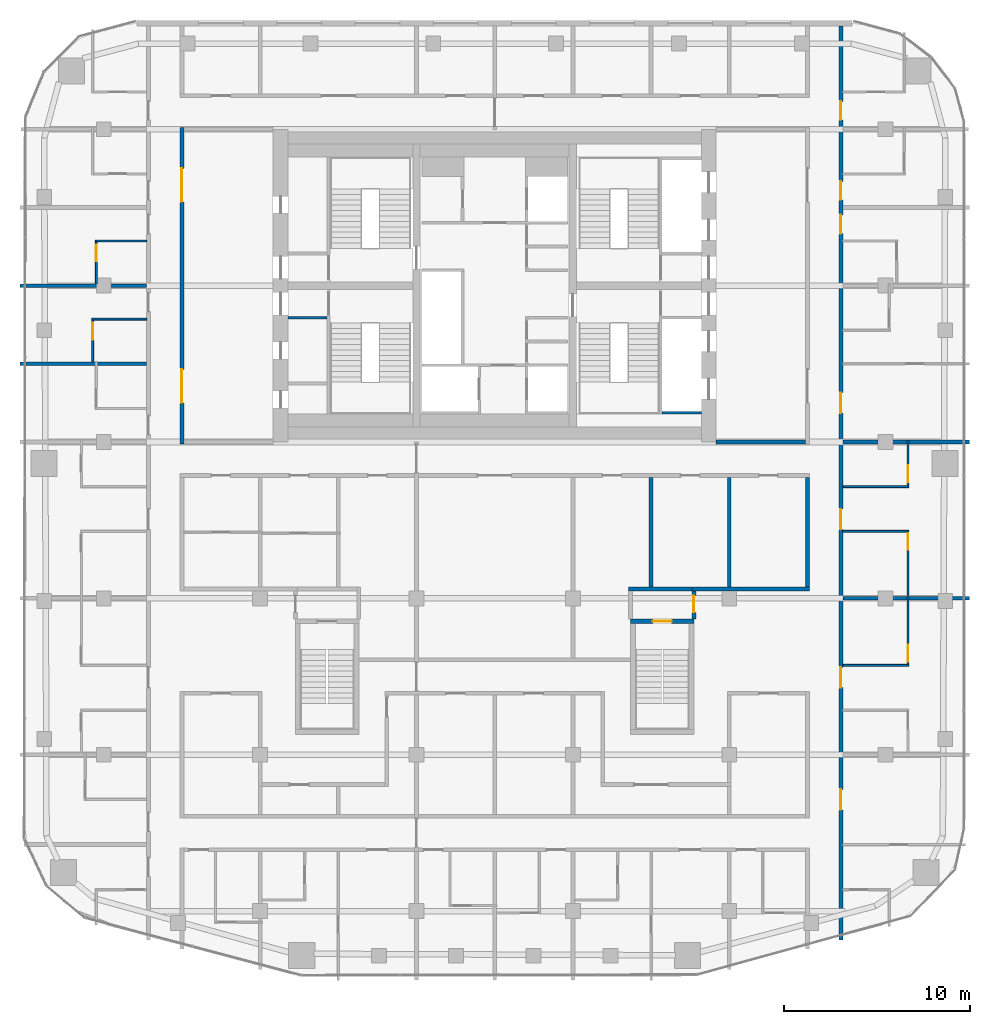
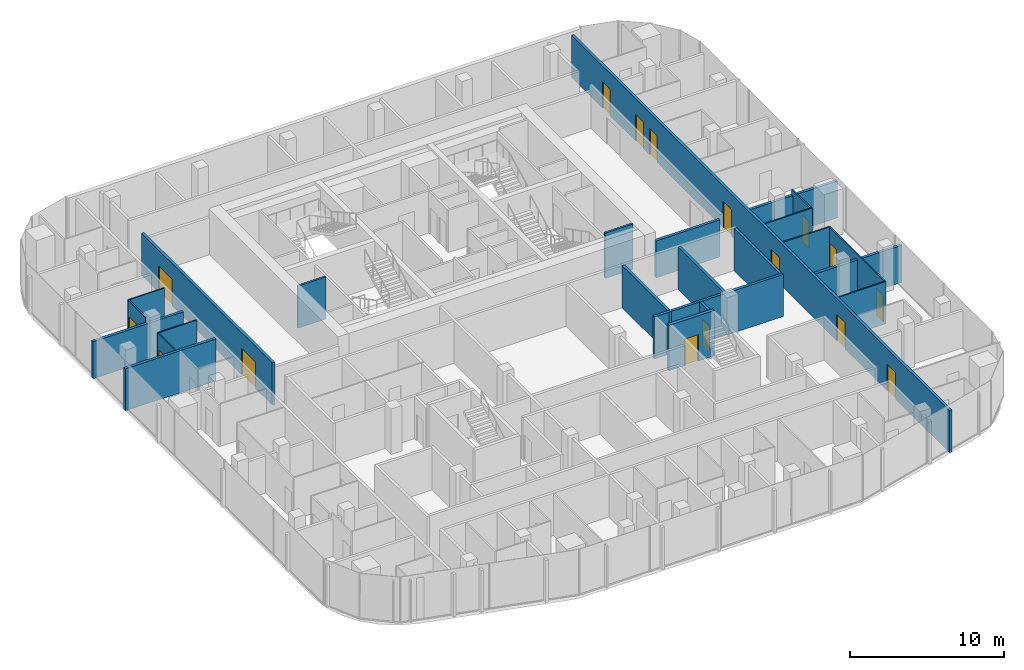
# One storey, part 17 of 22: 25 walls, 16 doors, 16 openings.
"""IFC4 building model written with IfcOpenShell, lengths in metres."""

from ifc_helpers import new_model, si_unit, direction, frame, frame_2d, origin, place, context, subcontext, project, spatial, rectangle, extrude, material, layer, layer_set, type_object, element, fill, save


model = new_model("IFC4")

# Units and contexts
model_context = context("Model", 3, precision=1e-05, world=origin(), true_north=direction((0.0, 1.0)))
body_context = subcontext(model_context, "Body", "Model", "MODEL_VIEW")
ifc_project = project(units=[si_unit("LENGTHUNIT", "METRE"), si_unit("AREAUNIT", "SQUARE_METRE"), si_unit("VOLUMEUNIT", "CUBIC_METRE"), si_unit("PLANEANGLEUNIT", "RADIAN"), si_unit("MASSUNIT", "GRAM", prefix="KILO")], contexts=[model_context])

# Site, building, storey
site_placement = place(None, origin())
site = spatial("IfcSite", under=ifc_project, at=site_placement, CompositionType="ELEMENT")
building_placement = place(site_placement, origin())
building = spatial("IfcBuilding", under=site, at=building_placement, Name="Marenta Gate Hotel Tower", CompositionType="ELEMENT")
storey_placement = place(building_placement, frame((0.0, 0.0, 238.10009765625)))
storey = spatial("IfcBuildingStorey", under=building, at=storey_placement, Name="L56", CompositionType="ELEMENT", Elevation=238.10009765625)

# Wall, openings, doors
ifc_material_1 = material(Name="Concrete blockwork", Category="masonry")
ifc_layer_1 = layer(ifc_material_1, 0.199951171875)
ifc_layer_set_1 = layer_set([ifc_layer_1], Name="Concrete blockwork")
wall_type_1 = type_object("IfcWallType", Name="Core boundary wall 200 REI 180", PredefinedType="PARTITIONING", material=ifc_layer_set_1)
wall_1_placement = place(storey_placement, frame((-16.800048828125, -0.10009765625, 0.0), z_axis=(0.0, 0.0, 1.0), x_axis=(0.0, 1.0, 0.0)))
wall_1 = element("IfcWall", 1, at=wall_1_placement, inside=storey, type_object=wall_type_1, Name="L56-CP-BW-W", PredefinedType="PARTITIONING", context=body_context, shape_type="SweptSolid", body=[
    extrude(rectangle(XDim=17.0, YDim=0.199951171875, at=frame_2d((8.5, 0.0))), origin(), (0.0, 0.0, 1.0), 3.33984375),
])
opening_1_placement = place(wall_1_placement, frame((2.199951171875, 0.0, 0.0)))
opening_1 = element("IfcOpeningElement", 2, at=opening_1_placement, cuts=wall_1, Name="Opening ED-Wa-B", PredefinedType="OPENING", context=body_context, shape_type="SweptSolid", body=[
    extrude(rectangle(XDim=1.800048828125, YDim=2.10009765625, at=frame_2d((0.89990234375, 1.050048828125))), frame((0.0, 0.10009765625, 0.0), z_axis=(0.0, -1.0, 0.0), x_axis=(1.0, 0.0, 0.0)), (0.0, 0.0, 1.0), 0.199951171875),
])
opening_2_placement = place(wall_1_placement, frame((13.0, 0.0, 0.0)))
opening_2 = element("IfcOpeningElement", 3, at=opening_2_placement, cuts=wall_1, Name="Opening ED-Wb-B", PredefinedType="OPENING", context=body_context, shape_type="SweptSolid", body=[
    extrude(rectangle(XDim=1.800048828125, YDim=2.10009765625, at=frame_2d((0.89990234375, 1.050048828125))), frame((0.0, 0.10009765625, 0.0), z_axis=(0.0, -1.0, 0.0), x_axis=(1.0, 0.0, 0.0)), (0.0, 0.0, 1.0), 0.199951171875),
])
ifc_material_2 = material(Name="Steel", Category="steel")
door_type_1 = type_object("IfcDoorType", Name="Core lobby entrance door 1800x2100 EI 60", OperationType="DOUBLE_DOOR_SINGLE_SWING", PredefinedType="DOOR", material=ifc_material_2)
door_1_placement = place(opening_1_placement, origin())
door_1 = element("IfcDoor", 4, at=door_1_placement, inside=storey, type_object=door_type_1, Name="ED-Wa-B", OperationType="DOUBLE_DOOR_SINGLE_SWING", OverallHeight=2.10009765625, OverallWidth=1.800048828125, PredefinedType="DOOR", context=body_context, shape_type="SweptSolid", body=[
    extrude(rectangle(XDim=1.800048828125, YDim=2.10009765625, at=frame_2d((0.89990234375, 1.050048828125))), frame((0.0, 0.02490234375, 0.0), z_axis=(0.0, -1.0, 0.0), x_axis=(1.0, 0.0, 0.0)), (0.0, 0.0, 1.0), 0.050048828125),
])
fill(opening_1, door_1)
door_2_placement = place(opening_2_placement, origin())
door_2 = element("IfcDoor", 5, at=door_2_placement, inside=storey, type_object=door_type_1, Name="ED-Wb-B", OperationType="DOUBLE_DOOR_SINGLE_SWING", OverallHeight=2.10009765625, OverallWidth=1.800048828125, PredefinedType="DOOR", context=body_context, shape_type="SweptSolid", body=[
    extrude(rectangle(XDim=1.800048828125, YDim=2.10009765625, at=frame_2d((0.89990234375, 1.050048828125))), frame((0.0, 0.02490234375, 0.0), z_axis=(0.0, -1.0, 0.0), x_axis=(1.0, 0.0, 0.0)), (0.0, 0.0, 1.0), 0.050048828125),
])
fill(opening_2, door_2)

# Walls
wall_2_placement = place(storey_placement, frame((11.89990234375, 0.0, 0.0), z_axis=(0.0, 0.0, 1.0), x_axis=(1.0, 0.0, 0.0)))
element("IfcWall", 6, at=wall_2_placement, inside=storey, type_object=wall_type_1, Name="L56-CP-EW-ES", PredefinedType="PARTITIONING", context=body_context, shape_type="SweptSolid", body=[
    extrude(rectangle(XDim=4.800048828125, YDim=0.199951171875, at=frame_2d((2.39990234375, 0.0))), origin(), (0.0, 0.0, 1.0), 2.93994140625),
])
ifc_material_3 = material(Name="Concrete blockwork", Category="masonry")
ifc_layer_2 = layer(ifc_material_3, 0.14990234375)
ifc_layer_set_2 = layer_set([ifc_layer_2], Name="Concrete blockwork")
wall_type_2 = type_object("IfcWallType", Name="Core room partition 150 REI 180", PredefinedType="PARTITIONING", material=ifc_layer_set_2)
wall_3_placement = place(storey_placement, frame((-11.10009765625, 6.675048828125, 0.0), z_axis=(0.0, 0.0, 1.0), x_axis=(1.0, 0.0, 0.0)))
element("IfcWall", 7, at=wall_3_placement, inside=storey, type_object=wall_type_2, Name="L56-CP-SW-WS-2", PredefinedType="PARTITIONING", context=body_context, shape_type="SweptSolid", body=[
    extrude(rectangle(XDim=2.10009765625, YDim=0.14990234375, at=frame_2d((1.050048828125, 0.0))), origin(), (0.0, 0.0, 1.0), 3.33984375),
])
ifc_material_4 = material(Name="Concrete C40", Category="concrete")
ifc_layer_3 = layer(ifc_material_4, 0.14990234375)
ifc_layer_set_3 = layer_set([ifc_layer_3], Name="Concrete C40")
wall_type_3 = type_object("IfcWallType", Name="Core shaft wall 150 REI 180", PredefinedType="SHEAR", material=ifc_layer_set_3)
wall_4_placement = place(storey_placement, frame((9.0, 1.574951171875, 0.0), z_axis=(0.0, 0.0, 1.0), x_axis=(1.0, 0.0, 0.0)))
element("IfcWall", 8, at=wall_4_placement, inside=storey, type_object=wall_type_3, Name="L56-SHF-SW-ES-5", PredefinedType="SHEAR", context=body_context, shape_type="SweptSolid", body=[
    extrude(rectangle(XDim=2.10009765625, YDim=0.14990234375, at=frame_2d((1.050048828125, 0.0))), origin(), (0.0, 0.0, 1.0), 3.599853515625),
])

# Wall, opening, door
ifc_material_5 = material(Name="Concrete C40", Category="concrete")
ifc_layer_4 = layer(ifc_material_5, 0.25)
ifc_layer_set_4 = layer_set([ifc_layer_4], Name="Concrete C40")
wall_type_4 = type_object("IfcWallType", Name="Remote stair enclosure wall 250 REI 180", PredefinedType="SHEAR", material=ifc_layer_set_4)
wall_5_placement = place(storey_placement, frame((7.300048828125, -9.625, 0.099853515625), z_axis=(0.0, 0.0, 1.0), x_axis=(1.0, 0.0, 0.0)))
wall_5 = element("IfcWall", 9, at=wall_5_placement, inside=storey, type_object=wall_type_4, Name="L56-RS-Z3-2-W2", PredefinedType="SHEAR", context=body_context, shape_type="SweptSolid", body=[
    extrude(rectangle(XDim=3.39990234375, YDim=0.25, at=frame_2d((1.699951171875, 0.0))), origin(), (0.0, 0.0, 1.0), 3.60009765625),
])
opening_3_placement = place(wall_5_placement, frame((1.199951171875, 0.0, 0.0)))
opening_3 = element("IfcOpeningElement", 10, at=opening_3_placement, cuts=wall_5, Name="Opening VD", PredefinedType="OPENING", context=body_context, shape_type="SweptSolid", body=[
    extrude(rectangle(XDim=1.0, YDim=2.10009765625, at=frame_2d((0.5, 1.050048828125))), frame((0.0, 0.125, 0.0), z_axis=(0.0, -1.0, 0.0), x_axis=(1.0, 0.0, 0.0)), (0.0, 0.0, 1.0), 0.25),
])
ifc_material_6 = material(Name="Steel", Category="steel")
door_type_2 = type_object("IfcDoorType", Name="Stair vestibule door 1000x2100 FD60", OperationType="SINGLE_SWING_LEFT", PredefinedType="DOOR", material=ifc_material_6)
door_3_placement = place(opening_3_placement, origin())
door_3 = element("IfcDoor", 11, at=door_3_placement, inside=storey, type_object=door_type_2, Name="VD", OperationType="SINGLE_SWING_LEFT", OverallHeight=2.10009765625, OverallWidth=1.0, PredefinedType="DOOR", context=body_context, shape_type="SweptSolid", body=[
    extrude(rectangle(XDim=1.0, YDim=2.10009765625, at=frame_2d((0.5, 1.050048828125))), frame((0.0, 0.02490234375, 0.0), z_axis=(0.0, -1.0, 0.0), x_axis=(1.0, 0.0, 0.0)), (0.0, 0.0, 1.0), 0.050048828125),
])
fill(opening_3, door_3)

# Wall, openings, doors
ifc_material_7 = material(Name="Gypsum board on steel stud", Category="steel")
ifc_layer_5 = layer(ifc_material_7, 0.199951171875)
ifc_layer_set_5 = layer_set([ifc_layer_5], Name="Gypsum board on steel stud")
wall_type_5 = type_object("IfcWallType", Name="Room corridor wall 200 EI 60", PredefinedType="PARTITIONING", material=ifc_layer_set_5)
wall_6_placement = place(storey_placement, frame((18.60009765625, -26.7509765625, 0.0), z_axis=(0.0, 0.0, 1.0), x_axis=(0.0, 1.0, 0.0)))
wall_6 = element("IfcWall", 12, at=wall_6_placement, inside=storey, type_object=wall_type_5, Name="L56-PTN-W023", PredefinedType="PARTITIONING", context=body_context, shape_type="SweptSolid", body=[
    extrude(rectangle(XDim=49.091064453125, YDim=0.199951171875, at=frame_2d((24.54541015625, 0.0))), origin(), (0.0, 0.0, 1.0), 3.33984375),
])
opening_4_placement = place(wall_6_placement, frame((6.988037109375, 0.0, 0.0)))
opening_4 = element("IfcOpeningElement", 13, at=opening_4_placement, cuts=wall_6, Name="Opening G20-17", PredefinedType="OPENING", context=body_context, shape_type="SweptSolid", body=[
    extrude(rectangle(XDim=1.10009765625, YDim=2.10009765625, at=frame_2d((0.550048828125, 1.050048828125))), frame((0.0, 0.10009765625, 0.0), z_axis=(0.0, -1.0, 0.0), x_axis=(1.0, 0.0, 0.0)), (0.0, 0.0, 1.0), 0.199951171875),
])
opening_5_placement = place(wall_6_placement, frame((13.551025390625, 0.0, 0.0)))
opening_5 = element("IfcOpeningElement", 14, at=opening_5_placement, cuts=wall_6, Name="Opening G20-20", PredefinedType="OPENING", context=body_context, shape_type="SweptSolid", body=[
    extrude(rectangle(XDim=1.10009765625, YDim=2.10009765625, at=frame_2d((0.550048828125, 1.050048828125))), frame((0.0, 0.10009765625, 0.0), z_axis=(0.0, -1.0, 0.0), x_axis=(1.0, 0.0, 0.0)), (0.0, 0.0, 1.0), 0.199951171875),
])
opening_6_placement = place(wall_6_placement, frame((22.051025390625, 0.0, 0.0)))
opening_6 = element("IfcOpeningElement", 15, at=opening_6_placement, cuts=wall_6, Name="Opening G20-23", PredefinedType="OPENING", context=body_context, shape_type="SweptSolid", body=[
    extrude(rectangle(XDim=1.10009765625, YDim=2.10009765625, at=frame_2d((0.550048828125, 1.050048828125))), frame((0.0, 0.10009765625, 0.0), z_axis=(0.0, -1.0, 0.0), x_axis=(1.0, 0.0, 0.0)), (0.0, 0.0, 1.0), 0.199951171875),
])
opening_7_placement = place(wall_6_placement, frame((28.301025390625, 0.0, 0.0)))
opening_7 = element("IfcOpeningElement", 16, at=opening_7_placement, cuts=wall_6, Name="Opening G20-26", PredefinedType="OPENING", context=body_context, shape_type="SweptSolid", body=[
    extrude(rectangle(XDim=1.10009765625, YDim=2.10009765625, at=frame_2d((0.550048828125, 1.050048828125))), frame((0.0, 0.10009765625, 0.0), z_axis=(0.0, -1.0, 0.0), x_axis=(1.0, 0.0, 0.0)), (0.0, 0.0, 1.0), 0.199951171875),
])
opening_8_placement = place(wall_6_placement, frame((37.950927734375, 0.0, 0.0)))
opening_8 = element("IfcOpeningElement", 17, at=opening_8_placement, cuts=wall_6, Name="Opening G20-29", PredefinedType="OPENING", context=body_context, shape_type="SweptSolid", body=[
    extrude(rectangle(XDim=1.0, YDim=2.10009765625, at=frame_2d((0.5, 1.050048828125))), frame((0.0, 0.10009765625, 0.0), z_axis=(0.0, -1.0, 0.0), x_axis=(1.0, 0.0, 0.0)), (0.0, 0.0, 1.0), 0.199951171875),
])
opening_9_placement = place(wall_6_placement, frame((39.7509765625, 0.0, 0.0)))
opening_9 = element("IfcOpeningElement", 18, at=opening_9_placement, cuts=wall_6, Name="Opening G20-31", PredefinedType="OPENING", context=body_context, shape_type="SweptSolid", body=[
    extrude(rectangle(XDim=1.0, YDim=2.10009765625, at=frame_2d((0.5, 1.050048828125))), frame((0.0, 0.10009765625, 0.0), z_axis=(0.0, -1.0, 0.0), x_axis=(1.0, 0.0, 0.0)), (0.0, 0.0, 1.0), 0.199951171875),
])
opening_10_placement = place(wall_6_placement, frame((44.051025390625, 0.0, 0.0)))
opening_10 = element("IfcOpeningElement", 19, at=opening_10_placement, cuts=wall_6, Name="Opening G20-33", PredefinedType="OPENING", context=body_context, shape_type="SweptSolid", body=[
    extrude(rectangle(XDim=1.0, YDim=2.10009765625, at=frame_2d((0.5, 1.050048828125))), frame((0.0, 0.10009765625, 0.0), z_axis=(0.0, -1.0, 0.0), x_axis=(1.0, 0.0, 0.0)), (0.0, 0.0, 1.0), 0.199951171875),
])
ifc_material_8 = material(Name="Timber door leaf", Category="wood")
door_type_3 = type_object("IfcDoorType", Name="Guest room door 1000x2100 EI 30", OperationType="NOTDEFINED", PredefinedType="DOOR", material=ifc_material_8)
door_4_placement = place(opening_8_placement, origin())
door_4 = element("IfcDoor", 20, at=door_4_placement, inside=storey, type_object=door_type_3, Name="L56-PD-D029", OperationType="SINGLE_SWING_LEFT", OverallHeight=2.10009765625, OverallWidth=1.0, PredefinedType="DOOR", context=body_context, shape_type="SweptSolid", body=[
    extrude(rectangle(XDim=1.0, YDim=2.10009765625, at=frame_2d((0.5, 1.050048828125))), frame((0.0, 0.02490234375, 0.0), z_axis=(0.0, -1.0, 0.0), x_axis=(1.0, 0.0, 0.0)), (0.0, 0.0, 1.0), 0.050048828125),
])
fill(opening_8, door_4)
door_5_placement = place(opening_9_placement, origin())
door_5 = element("IfcDoor", 21, at=door_5_placement, inside=storey, type_object=door_type_3, Name="L56-PD-D031", OperationType="SINGLE_SWING_LEFT", OverallHeight=2.10009765625, OverallWidth=1.0, PredefinedType="DOOR", context=body_context, shape_type="SweptSolid", body=[
    extrude(rectangle(XDim=1.0, YDim=2.10009765625, at=frame_2d((0.5, 1.050048828125))), frame((0.0, 0.02490234375, 0.0), z_axis=(0.0, -1.0, 0.0), x_axis=(1.0, 0.0, 0.0)), (0.0, 0.0, 1.0), 0.050048828125),
])
fill(opening_9, door_5)
door_6_placement = place(opening_10_placement, origin())
door_6 = element("IfcDoor", 22, at=door_6_placement, inside=storey, type_object=door_type_3, Name="L56-PD-D033", OperationType="SINGLE_SWING_LEFT", OverallHeight=2.10009765625, OverallWidth=1.0, PredefinedType="DOOR", context=body_context, shape_type="SweptSolid", body=[
    extrude(rectangle(XDim=1.0, YDim=2.10009765625, at=frame_2d((0.5, 1.050048828125))), frame((0.0, 0.02490234375, 0.0), z_axis=(0.0, -1.0, 0.0), x_axis=(1.0, 0.0, 0.0)), (0.0, 0.0, 1.0), 0.050048828125),
])
fill(opening_10, door_6)
ifc_material_9 = material(Name="Timber door leaf", Category="wood")
door_type_4 = type_object("IfcDoorType", Name="Guest room door 1100x2100 EI 30", OperationType="NOTDEFINED", PredefinedType="DOOR", material=ifc_material_9)
door_7_placement = place(opening_4_placement, origin())
door_7 = element("IfcDoor", 23, at=door_7_placement, inside=storey, type_object=door_type_4, Name="L56-PD-D017", OperationType="SINGLE_SWING_LEFT", OverallHeight=2.10009765625, OverallWidth=1.10009765625, PredefinedType="DOOR", context=body_context, shape_type="SweptSolid", body=[
    extrude(rectangle(XDim=1.10009765625, YDim=2.10009765625, at=frame_2d((0.550048828125, 1.050048828125))), frame((0.0, 0.02490234375, 0.0), z_axis=(0.0, -1.0, 0.0), x_axis=(1.0, 0.0, 0.0)), (0.0, 0.0, 1.0), 0.050048828125),
])
fill(opening_4, door_7)
door_8_placement = place(opening_5_placement, origin())
door_8 = element("IfcDoor", 24, at=door_8_placement, inside=storey, type_object=door_type_4, Name="L56-PD-D020", OperationType="SINGLE_SWING_LEFT", OverallHeight=2.10009765625, OverallWidth=1.10009765625, PredefinedType="DOOR", context=body_context, shape_type="SweptSolid", body=[
    extrude(rectangle(XDim=1.10009765625, YDim=2.10009765625, at=frame_2d((0.550048828125, 1.050048828125))), frame((0.0, 0.02490234375, 0.0), z_axis=(0.0, -1.0, 0.0), x_axis=(1.0, 0.0, 0.0)), (0.0, 0.0, 1.0), 0.050048828125),
])
fill(opening_5, door_8)
door_9_placement = place(opening_6_placement, origin())
door_9 = element("IfcDoor", 25, at=door_9_placement, inside=storey, type_object=door_type_4, Name="L56-PD-D023", OperationType="SINGLE_SWING_RIGHT", OverallHeight=2.10009765625, OverallWidth=1.10009765625, PredefinedType="DOOR", context=body_context, shape_type="SweptSolid", body=[
    extrude(rectangle(XDim=1.10009765625, YDim=2.10009765625, at=frame_2d((0.550048828125, 1.050048828125))), frame((0.0, 0.02490234375, 0.0), z_axis=(0.0, -1.0, 0.0), x_axis=(1.0, 0.0, 0.0)), (0.0, 0.0, 1.0), 0.050048828125),
])
fill(opening_6, door_9)
door_10_placement = place(opening_7_placement, origin())
door_10 = element("IfcDoor", 26, at=door_10_placement, inside=storey, type_object=door_type_4, Name="L56-PD-D026", OperationType="SINGLE_SWING_RIGHT", OverallHeight=2.10009765625, OverallWidth=1.10009765625, PredefinedType="DOOR", context=body_context, shape_type="SweptSolid", body=[
    extrude(rectangle(XDim=1.10009765625, YDim=2.10009765625, at=frame_2d((0.550048828125, 1.050048828125))), frame((0.0, 0.02490234375, 0.0), z_axis=(0.0, -1.0, 0.0), x_axis=(1.0, 0.0, 0.0)), (0.0, 0.0, 1.0), 0.050048828125),
])
fill(opening_7, door_10)

# Walls
wall_7_placement = place(storey_placement, frame((16.800048828125, -7.800048828125, 0.0), z_axis=(0.0, 0.0, 1.0), x_axis=(0.0, 1.0, 0.0)))
element("IfcWall", 27, at=wall_7_placement, inside=storey, type_object=wall_type_5, Name="L56-PTN-W028", PredefinedType="PARTITIONING", context=body_context, shape_type="SweptSolid", body=[
    extrude(rectangle(XDim=5.900146484375, YDim=0.199951171875, at=frame_2d((2.9501953125, 0.0))), origin(), (0.0, 0.0, 1.0), 3.33984375),
])
wall_8_placement = place(storey_placement, frame((10.60009765625, -7.89990234375, 0.0), z_axis=(0.0, 0.0, 1.0), x_axis=(1.0, 0.0, 0.0)))
element("IfcWall", 28, at=wall_8_placement, inside=storey, type_object=wall_type_5, Name="L56-PTN-W053", PredefinedType="PARTITIONING", context=body_context, shape_type="SweptSolid", body=[
    extrude(rectangle(XDim=6.2998046875, YDim=0.199951171875, at=frame_2d((3.14990234375, 0.0))), origin(), (0.0, 0.0, 1.0), 3.33984375),
])

# Wall, opening, door
ifc_material_10 = material(Name="Concrete blockwork", Category="masonry")
ifc_layer_6 = layer(ifc_material_10, 0.199951171875)
ifc_layer_set_6 = layer_set([ifc_layer_6], Name="Concrete blockwork")
wall_type_6 = type_object("IfcWallType", Name="Room corridor wall 200 REI 180", PredefinedType="PARTITIONING", material=ifc_layer_set_6)
wall_9_placement = place(storey_placement, frame((10.699951171875, -9.5, 0.0), z_axis=(0.0, 0.0, 1.0), x_axis=(0.0, 1.0, 0.0)))
wall_9 = element("IfcWall", 29, at=wall_9_placement, inside=storey, type_object=wall_type_6, Name="L56-PTN-W046", PredefinedType="PARTITIONING", context=body_context, shape_type="SweptSolid", body=[
    extrude(rectangle(XDim=1.5, YDim=0.199951171875, at=frame_2d((0.75, 0.0))), origin(), (0.0, 0.0, 1.0), 3.33984375),
])
opening_11_placement = place(wall_9_placement, frame((0.35009765625, 0.0, 0.0)))
opening_11 = element("IfcOpeningElement", 30, at=opening_11_placement, cuts=wall_9, Name="Opening G20-73", PredefinedType="OPENING", context=body_context, shape_type="SweptSolid", body=[
    extrude(rectangle(XDim=0.89990234375, YDim=2.10009765625, at=frame_2d((0.449951171875, 1.050048828125))), frame((0.0, 0.10009765625, 0.0), z_axis=(0.0, -1.0, 0.0), x_axis=(1.0, 0.0, 0.0)), (0.0, 0.0, 1.0), 0.199951171875),
])
ifc_material_11 = material(Name="Hollow steel door set", Category="steel")
door_type_5 = type_object("IfcDoorType", Name="Stair vestibule door 900x2100 EI 60", OperationType="NOTDEFINED", PredefinedType="DOOR", material=ifc_material_11)
door_11_placement = place(opening_11_placement, origin())
door_11 = element("IfcDoor", 31, at=door_11_placement, inside=storey, type_object=door_type_5, Name="L56-PD-D073", OperationType="SINGLE_SWING_RIGHT", OverallHeight=2.10009765625, OverallWidth=0.89990234375, PredefinedType="DOOR", context=body_context, shape_type="SweptSolid", body=[
    extrude(rectangle(XDim=0.89990234375, YDim=2.10009765625, at=frame_2d((0.449951171875, 1.050048828125))), frame((0.0, 0.02490234375, 0.0), z_axis=(0.0, -1.0, 0.0), x_axis=(1.0, 0.0, 0.0)), (0.0, 0.0, 1.0), 0.050048828125),
])
fill(opening_11, door_11)

# Wall, openings, doors
ifc_material_12 = material(Name="Gypsum board on steel stud", Category="steel")
ifc_layer_7 = layer(ifc_material_12, 0.10009765625)
ifc_layer_set_7 = layer_set([ifc_layer_7], Name="Gypsum board on steel stud")
wall_type_7 = type_object("IfcWallType", Name="Room partition 100", PredefinedType="PARTITIONING", material=ifc_layer_set_7)
wall_10_placement = place(storey_placement, frame((22.199951171875, -11.949951171875, 0.0), z_axis=(0.0, 0.0, 1.0), x_axis=(0.0, 1.0, 0.0)))
wall_10 = element("IfcWall", 32, at=wall_10_placement, inside=storey, type_object=wall_type_7, Name="L56-PTN-W011", PredefinedType="PARTITIONING", context=body_context, shape_type="SweptSolid", body=[
    extrude(rectangle(XDim=7.199951171875, YDim=0.10009765625, at=frame_2d((3.60009765625, 0.0))), origin(), (0.0, 0.0, 1.0), 3.33984375),
])
opening_12_placement = place(wall_10_placement, frame((0.14990234375, 0.0, 0.0)))
opening_12 = element("IfcOpeningElement", 33, at=opening_12_placement, cuts=wall_10, Name="Opening G20-21", PredefinedType="OPENING", context=body_context, shape_type="SweptSolid", body=[
    extrude(rectangle(XDim=0.89990234375, YDim=2.10009765625, at=frame_2d((0.449951171875, 1.050048828125))), frame((0.0, 0.050048828125, 0.0), z_axis=(0.0, -1.0, 0.0), x_axis=(1.0, 0.0, 0.0)), (0.0, 0.0, 1.0), 0.10009765625),
])
opening_13_placement = place(wall_10_placement, frame((6.14990234375, 0.0, 0.0)))
opening_13 = element("IfcOpeningElement", 34, at=opening_13_placement, cuts=wall_10, Name="Opening G20-24", PredefinedType="OPENING", context=body_context, shape_type="SweptSolid", body=[
    extrude(rectangle(XDim=0.89990234375, YDim=2.10009765625, at=frame_2d((0.449951171875, 1.050048828125))), frame((0.0, 0.050048828125, 0.0), z_axis=(0.0, -1.0, 0.0), x_axis=(1.0, 0.0, 0.0)), (0.0, 0.0, 1.0), 0.10009765625),
])
ifc_material_13 = material(Name="Timber door leaf", Category="wood")
door_type_6 = type_object("IfcDoorType", Name="Guest bathroom door 900x2100", OperationType="NOTDEFINED", PredefinedType="DOOR", material=ifc_material_13)
door_12_placement = place(opening_12_placement, origin())
door_12 = element("IfcDoor", 35, at=door_12_placement, inside=storey, type_object=door_type_6, Name="L56-PD-D021", OperationType="SINGLE_SWING_LEFT", OverallHeight=2.10009765625, OverallWidth=0.89990234375, PredefinedType="DOOR", context=body_context, shape_type="SweptSolid", body=[
    extrude(rectangle(XDim=0.89990234375, YDim=2.10009765625, at=frame_2d((0.449951171875, 1.050048828125))), frame((0.0, 0.02490234375, 0.0), z_axis=(0.0, -1.0, 0.0), x_axis=(1.0, 0.0, 0.0)), (0.0, 0.0, 1.0), 0.050048828125),
])
fill(opening_12, door_12)
door_13_placement = place(opening_13_placement, origin())
door_13 = element("IfcDoor", 36, at=door_13_placement, inside=storey, type_object=door_type_6, Name="L56-PD-D024", OperationType="SINGLE_SWING_RIGHT", OverallHeight=2.10009765625, OverallWidth=0.89990234375, PredefinedType="DOOR", context=body_context, shape_type="SweptSolid", body=[
    extrude(rectangle(XDim=0.89990234375, YDim=2.10009765625, at=frame_2d((0.449951171875, 1.050048828125))), frame((0.0, 0.02490234375, 0.0), z_axis=(0.0, -1.0, 0.0), x_axis=(1.0, 0.0, 0.0)), (0.0, 0.0, 1.0), 0.050048828125),
])
fill(opening_13, door_13)

# Wall, opening, door
wall_11_placement = place(storey_placement, frame((22.199951171875, -2.35009765625, 0.0), z_axis=(0.0, 0.0, 1.0), x_axis=(0.0, 1.0, 0.0)))
wall_11 = element("IfcWall", 37, at=wall_11_placement, inside=storey, type_object=wall_type_7, Name="L56-PTN-W012", PredefinedType="PARTITIONING", context=body_context, shape_type="SweptSolid", body=[
    extrude(rectangle(XDim=2.4501953125, YDim=0.10009765625, at=frame_2d((1.22509765625, 0.0))), origin(), (0.0, 0.0, 1.0), 3.33984375),
])
opening_14_placement = place(wall_11_placement, frame((0.199951171875, 0.0, 0.0)))
opening_14 = element("IfcOpeningElement", 38, at=opening_14_placement, cuts=wall_11, Name="Opening G20-25", PredefinedType="OPENING", context=body_context, shape_type="SweptSolid", body=[
    extrude(rectangle(XDim=0.89990234375, YDim=2.10009765625, at=frame_2d((0.449951171875, 1.050048828125))), frame((0.0, 0.050048828125, 0.0), z_axis=(0.0, -1.0, 0.0), x_axis=(1.0, 0.0, 0.0)), (0.0, 0.0, 1.0), 0.10009765625),
])
ifc_material_14 = material(Name="Timber door leaf", Category="wood")
door_type_7 = type_object("IfcDoorType", Name="Room inner door 900x2100", OperationType="NOTDEFINED", PredefinedType="DOOR", material=ifc_material_14)
door_14_placement = place(opening_14_placement, origin())
door_14 = element("IfcDoor", 39, at=door_14_placement, inside=storey, type_object=door_type_7, Name="L56-PD-D025", OperationType="SINGLE_SWING_LEFT", OverallHeight=2.10009765625, OverallWidth=0.89990234375, PredefinedType="DOOR", context=body_context, shape_type="SweptSolid", body=[
    extrude(rectangle(XDim=0.89990234375, YDim=2.10009765625, at=frame_2d((0.449951171875, 1.050048828125))), frame((0.0, 0.02490234375, 0.0), z_axis=(0.0, -1.0, 0.0), x_axis=(1.0, 0.0, 0.0)), (0.0, 0.0, 1.0), 0.050048828125),
])
fill(opening_14, door_14)

# Walls
wall_12_placement = place(storey_placement, frame((18.699951171875, -12.0, 0.0), z_axis=(0.0, 0.0, 1.0), x_axis=(1.0, 0.0, 0.0)))
element("IfcWall", 40, at=wall_12_placement, inside=storey, type_object=wall_type_7, Name="L56-PTN-W044", PredefinedType="PARTITIONING", context=body_context, shape_type="SweptSolid", body=[
    extrude(rectangle(XDim=3.550048828125, YDim=0.10009765625, at=frame_2d((1.77490234375, 0.0))), origin(), (0.0, 0.0, 1.0), 3.33984375),
])
wall_13_placement = place(storey_placement, frame((18.699951171875, -4.800048828125, 0.0), z_axis=(0.0, 0.0, 1.0), x_axis=(1.0, 0.0, 0.0)))
element("IfcWall", 41, at=wall_13_placement, inside=storey, type_object=wall_type_7, Name="L56-PTN-W062", PredefinedType="PARTITIONING", context=body_context, shape_type="SweptSolid", body=[
    extrude(rectangle(XDim=3.449951171875, YDim=0.10009765625, at=frame_2d((1.72509765625, 0.0))), origin(), (0.0, 0.0, 1.0), 3.33984375),
])
wall_14_placement = place(storey_placement, frame((18.699951171875, -2.39990234375, 0.0), z_axis=(0.0, 0.0, 1.0), x_axis=(1.0, 0.0, 0.0)))
element("IfcWall", 42, at=wall_14_placement, inside=storey, type_object=wall_type_7, Name="L56-PTN-W069", PredefinedType="PARTITIONING", context=body_context, shape_type="SweptSolid", body=[
    extrude(rectangle(XDim=3.550048828125, YDim=0.10009765625, at=frame_2d((1.77490234375, 0.0))), origin(), (0.0, 0.0, 1.0), 3.33984375),
])
wall_15_placement = place(storey_placement, frame((-21.64990234375, 6.60009765625, 0.0), z_axis=(0.0, 0.0, 1.0), x_axis=(1.0, 0.0, 0.0)))
element("IfcWall", 43, at=wall_15_placement, inside=storey, type_object=wall_type_7, Name="L56-PTN-W086", PredefinedType="PARTITIONING", context=body_context, shape_type="SweptSolid", body=[
    extrude(rectangle(XDim=2.949951171875, YDim=0.10009765625, at=frame_2d((1.47509765625, 0.0))), origin(), (0.0, 0.0, 1.0), 3.33984375),
])
wall_16_placement = place(storey_placement, frame((-21.449951171875, 10.800048828125, 0.0), z_axis=(0.0, 0.0, 1.0), x_axis=(1.0, 0.0, 0.0)))
element("IfcWall", 44, at=wall_16_placement, inside=storey, type_object=wall_type_7, Name="L56-PTN-W095", PredefinedType="PARTITIONING", context=body_context, shape_type="SweptSolid", body=[
    extrude(rectangle(XDim=2.75, YDim=0.10009765625, at=frame_2d((1.375, 0.0))), origin(), (0.0, 0.0, 1.0), 3.33984375),
])

# Wall, opening, door
wall_17_placement = place(storey_placement, frame((-21.39990234375, 8.5, 0.0), z_axis=(0.0, 0.0, 1.0), x_axis=(0.0, 1.0, 0.0)))
wall_17 = element("IfcWall", 45, at=wall_17_placement, inside=storey, type_object=wall_type_7, Name="L56-PTN-W119", PredefinedType="PARTITIONING", context=body_context, shape_type="SweptSolid", body=[
    extrude(rectangle(XDim=2.25, YDim=0.10009765625, at=frame_2d((1.125, 0.0))), origin(), (0.0, 0.0, 1.0), 3.33984375),
])
opening_15_placement = place(wall_17_placement, frame((1.199951171875, 0.0, 0.0)))
opening_15 = element("IfcOpeningElement", 46, at=opening_15_placement, cuts=wall_17, Name="Opening G20-67", PredefinedType="OPENING", context=body_context, shape_type="SweptSolid", body=[
    extrude(rectangle(XDim=0.89990234375, YDim=2.10009765625, at=frame_2d((0.449951171875, 1.050048828125))), frame((0.0, 0.050048828125, 0.0), z_axis=(0.0, -1.0, 0.0), x_axis=(1.0, 0.0, 0.0)), (0.0, 0.0, 1.0), 0.10009765625),
])
door_15_placement = place(opening_15_placement, origin())
door_15 = element("IfcDoor", 47, at=door_15_placement, inside=storey, type_object=door_type_6, Name="L56-PD-D067", OperationType="SINGLE_SWING_LEFT", OverallHeight=2.10009765625, OverallWidth=0.89990234375, PredefinedType="DOOR", context=body_context, shape_type="SweptSolid", body=[
    extrude(rectangle(XDim=0.89990234375, YDim=2.10009765625, at=frame_2d((0.449951171875, 1.050048828125))), frame((0.0, 0.02490234375, 0.0), z_axis=(0.0, -1.0, 0.0), x_axis=(1.0, 0.0, 0.0)), (0.0, 0.0, 1.0), 0.050048828125),
])
fill(opening_15, door_15)

wall_18_placement = place(storey_placement, frame((-21.60009765625, 4.300048828125, 0.0), z_axis=(0.0, 0.0, 1.0), x_axis=(0.0, 1.0, 0.0)))
wall_18 = element("IfcWall", 48, at=wall_18_placement, inside=storey, type_object=wall_type_7, Name="L56-PTN-W120", PredefinedType="PARTITIONING", context=body_context, shape_type="SweptSolid", body=[
    extrude(rectangle(XDim=2.25, YDim=0.10009765625, at=frame_2d((1.125, 0.0))), origin(), (0.0, 0.0, 1.0), 3.33984375),
])
opening_16_placement = place(wall_18_placement, frame((1.199951171875, 0.0, 0.0)))
opening_16 = element("IfcOpeningElement", 49, at=opening_16_placement, cuts=wall_18, Name="Opening G20-65", PredefinedType="OPENING", context=body_context, shape_type="SweptSolid", body=[
    extrude(rectangle(XDim=0.89990234375, YDim=2.10009765625, at=frame_2d((0.449951171875, 1.050048828125))), frame((0.0, 0.050048828125, 0.0), z_axis=(0.0, -1.0, 0.0), x_axis=(1.0, 0.0, 0.0)), (0.0, 0.0, 1.0), 0.10009765625),
])
door_16_placement = place(opening_16_placement, origin())
door_16 = element("IfcDoor", 50, at=door_16_placement, inside=storey, type_object=door_type_6, Name="L56-PD-D065", OperationType="SINGLE_SWING_LEFT", OverallHeight=2.10009765625, OverallWidth=0.89990234375, PredefinedType="DOOR", context=body_context, shape_type="SweptSolid", body=[
    extrude(rectangle(XDim=0.89990234375, YDim=2.10009765625, at=frame_2d((0.449951171875, 1.050048828125))), frame((0.0, 0.02490234375, 0.0), z_axis=(0.0, -1.0, 0.0), x_axis=(1.0, 0.0, 0.0)), (0.0, 0.0, 1.0), 0.050048828125),
])
fill(opening_16, door_16)

# Walls
ifc_material_15 = material(Name="Gypsum board on steel stud", Category="steel")
ifc_layer_8 = layer(ifc_material_15, 0.199951171875)
ifc_layer_set_8 = layer_set([ifc_layer_8], Name="Gypsum board on steel stud")
wall_type_8 = type_object("IfcWallType", Name="Room party wall 200 EI 60", PredefinedType="PARTITIONING", material=ifc_layer_set_8)
wall_19_placement = place(storey_placement, frame((12.60009765625, -7.800048828125, 0.0), z_axis=(0.0, 0.0, 1.0), x_axis=(0.0, 1.0, 0.0)))
element("IfcWall", 51, at=wall_19_placement, inside=storey, type_object=wall_type_8, Name="L56-PTN-W040", PredefinedType="PARTITIONING", context=body_context, shape_type="SweptSolid", body=[
    extrude(rectangle(XDim=5.900146484375, YDim=0.199951171875, at=frame_2d((2.9501953125, 0.0))), origin(), (0.0, 0.0, 1.0), 3.33984375),
])
wall_20_placement = place(storey_placement, frame((8.39990234375, -8.0, 0.0), z_axis=(0.0, 0.0, 1.0), x_axis=(0.0, 1.0, 0.0)))
element("IfcWall", 52, at=wall_20_placement, inside=storey, type_object=wall_type_8, Name="L56-PTN-W048", PredefinedType="PARTITIONING", context=body_context, shape_type="SweptSolid", body=[
    extrude(rectangle(XDim=6.10009765625, YDim=0.199951171875, at=frame_2d((3.050048828125, 0.0))), origin(), (0.0, 0.0, 1.0), 3.33984375),
])
for number, where, z_axis, x_axis, name in (
    (53, (18.699951171875, -8.39990234375, 0.0), (0.0, 0.0, 1.0), (1.0, 0.0, 0.0), "L56-PTN-W051"),
    (54, (18.699951171875, 0.0, 0.0), (0.0, 0.0, 1.0), (1.0, 0.0, 0.0), "L56-PTN-W075"),
):
    element("IfcWall", number, at=place(storey_placement, frame(where, z_axis=z_axis, x_axis=x_axis)), inside=storey, type_object=wall_type_8, Name=name, PredefinedType="PARTITIONING", context=body_context, shape_type="SweptSolid", body=[
        extrude(rectangle(XDim=6.800048828125, YDim=0.199951171875, at=frame_2d((3.39990234375, 0.0))), origin(), (0.0, 0.0, 1.0), 2.93994140625),
    ])
wall_21_placement = place(storey_placement, frame((-25.5, 4.199951171875, 0.0), z_axis=(0.0, 0.0, 1.0), x_axis=(1.0, 0.0, 0.0)))
element("IfcWall", 55, at=wall_21_placement, inside=storey, type_object=wall_type_8, Name="L56-PTN-W082", PredefinedType="PARTITIONING", context=body_context, shape_type="SweptSolid", body=[
    extrude(rectangle(XDim=6.800048828125, YDim=0.199951171875, at=frame_2d((3.39990234375, 0.0))), origin(), (0.0, 0.0, 1.0), 3.33984375),
])
wall_22_placement = place(storey_placement, frame((-25.5, 8.39990234375, 0.0), z_axis=(0.0, 0.0, 1.0), x_axis=(1.0, 0.0, 0.0)))
element("IfcWall", 56, at=wall_22_placement, inside=storey, type_object=wall_type_8, Name="L56-PTN-W091", PredefinedType="PARTITIONING", context=body_context, shape_type="SweptSolid", body=[
    extrude(rectangle(XDim=6.800048828125, YDim=0.199951171875, at=frame_2d((3.39990234375, 0.0))), origin(), (0.0, 0.0, 1.0), 2.93994140625),
])
ifc_material_16 = material(Name="Concrete blockwork", Category="masonry")
ifc_layer_9 = layer(ifc_material_16, 0.199951171875)
ifc_layer_set_9 = layer_set([ifc_layer_9], Name="Concrete blockwork")
wall_type_9 = type_object("IfcWallType", Name="Room party wall 200 REI 180", PredefinedType="PARTITIONING", material=ifc_layer_set_9)
wall_23_placement = place(storey_placement, frame((7.199951171875, -7.89990234375, 0.0), z_axis=(0.0, 0.0, 1.0), x_axis=(1.0, 0.0, 0.0)))
element("IfcWall", 57, at=wall_23_placement, inside=storey, type_object=wall_type_9, Name="L56-PTN-W055", PredefinedType="PARTITIONING", context=body_context, shape_type="SweptSolid", body=[
    extrude(rectangle(XDim=3.400146484375, YDim=0.199951171875, at=frame_2d((1.7001953125, 0.0))), origin(), (0.0, 0.0, 1.0), 3.33984375),
])

save(model, "model.ifc")
